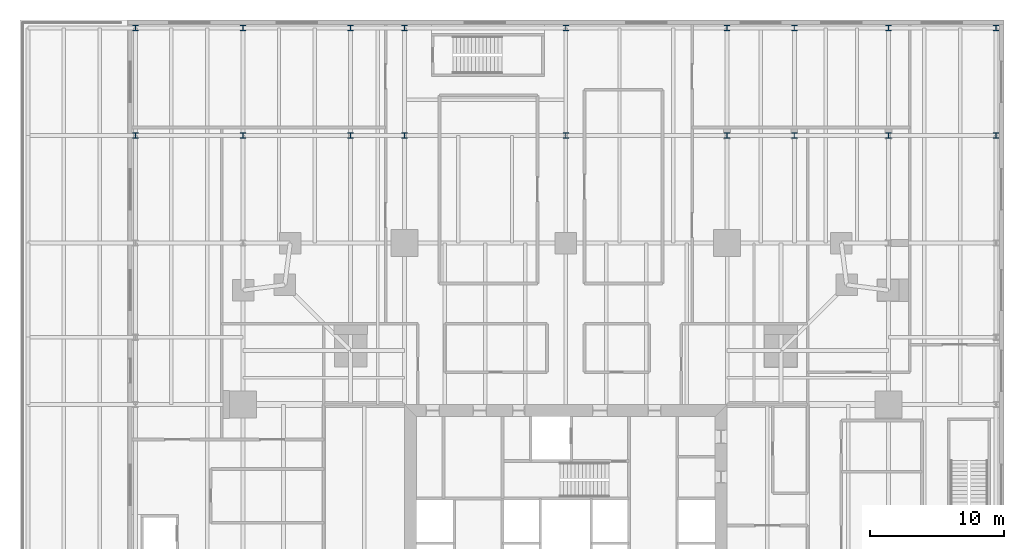
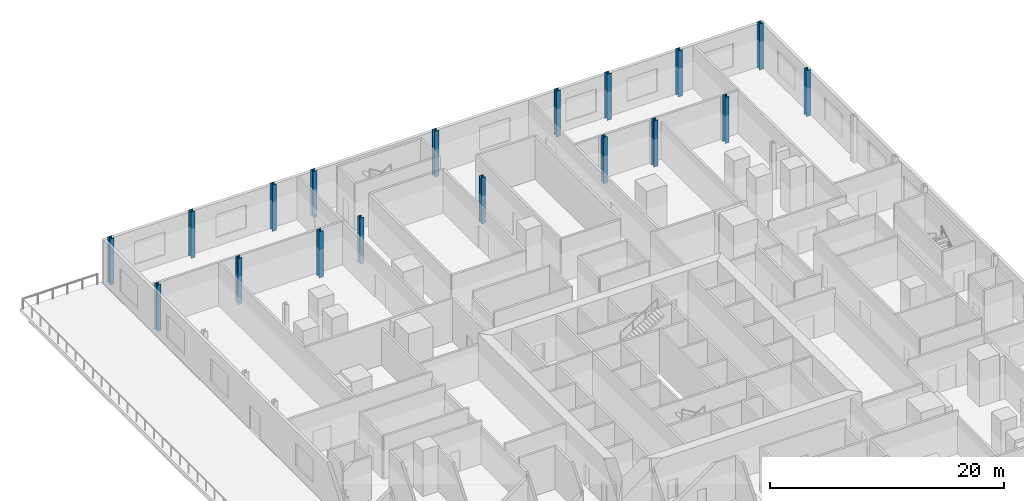
# One storey, part 3 of 17: 18 columns.
"""IFC4 building model written with IfcOpenShell, lengths in metres."""

import ifcopenshell
import ifcopenshell.guid

model = None  # the IFC model being written
_history = None  # IfcOwnerHistory: only IFC2X3 demands one
_inside = {}  # id of a spatial element -> (the spatial element, [elements in it])
_under = {}  # id of a project, library or spatial element -> (it, [spatial elements below it])
_declared = {}  # id of a project -> (the project, [libraries it declares])
_typed = {}  # id of a type object -> (the type object, [elements of that type])
_made_of = {}  # id of a material, layer set ... -> (it, [elements and type objects made of it])


def new_model(schema):
    """Start an empty IFC model of exactly this schema.

    Asked for "IFC4X3", IfcOpenShell would pick the latest addendum, in which some entities
    have other attributes; the version numbers below select the first issue.
    IFC2X3 requires an IfcOwnerHistory on every rooted entity: one is made here for all.
    """
    global model, _history
    if schema == "IFC4X3":
        model = ifcopenshell.file(schema_version=(4, 3, 0, 0))
    else:
        model = ifcopenshell.file(schema=schema)
    _inside.clear()
    _under.clear()
    _declared.clear()
    _typed.clear()
    _made_of.clear()
    _history = None
    if model.schema == "IFC2X3":
        org = make("IfcOrganization", Name="unknown")
        user = make(
            "IfcPersonAndOrganization",
            ThePerson=make("IfcPerson", FamilyName="unknown"),
            TheOrganization=org,
        )
        app = make(
            "IfcApplication",
            ApplicationDeveloper=org,
            Version="unknown",
            ApplicationFullName="unknown",
            ApplicationIdentifier="unknown",
        )
        _history = make(
            "IfcOwnerHistory",
            OwningUser=user,
            OwningApplication=app,
            ChangeAction="ADDED",
            CreationDate=0,
        )
    return model


def make(cls, **values):
    """One entity of the class cls with the attributes given. An attribute that is None is left unset."""
    return model.create_entity(
        cls, **{name: value for name, value in values.items() if value is not None}
    )


def rooted(cls, **values):
    """An entity with a GlobalId (a new one), such as an element, a storey or a relation."""
    return make(cls, GlobalId=ifcopenshell.guid.new(), OwnerHistory=_history, **values)


def si_unit(unit_type, name, prefix=None):
    """IfcSIUnit, for example si_unit("LENGTHUNIT", "METRE", prefix="MILLI")."""
    return make("IfcSIUnit", UnitType=unit_type, Prefix=prefix, Name=name)


def assignment(units):
    """IfcUnitAssignment: the units of a project."""
    return None if units is None else make("IfcUnitAssignment", Units=units)


def point(xyz):
    """IfcCartesianPoint."""
    return None if xyz is None else make("IfcCartesianPoint", Coordinates=xyz)


def direction(xyz):
    """IfcDirection."""
    return None if xyz is None else make("IfcDirection", DirectionRatios=xyz)


def frame(location, z_axis=None, x_axis=None):
    """IfcAxis2Placement3D, a coordinate frame: its origin and axes. An axis left out is left unset."""
    return make(
        "IfcAxis2Placement3D",
        Location=point(location),
        Axis=direction(z_axis),
        RefDirection=direction(x_axis),
    )


def frame_2d(location, x_axis=None):
    """IfcAxis2Placement2D, a coordinate frame in the plane: its origin and x axis."""
    return make(
        "IfcAxis2Placement2D", Location=point(location), RefDirection=direction(x_axis)
    )


def origin():
    """The frame at (0, 0, 0) with its axes left unset."""
    return frame((0.0, 0.0, 0.0))


def origin_2d():
    """The frame at (0, 0) in the plane with its x axis left unset."""
    return frame_2d((0.0, 0.0))


def place(relative_to, where):
    """IfcLocalPlacement: puts the frame where relative to a parent placement (None: the world)."""
    return make(
        "IfcLocalPlacement", PlacementRelTo=relative_to, RelativePlacement=where
    )


def context(
    kind, dimensions, precision=None, world=None, true_north=None, identifier=None
):
    """IfcGeometricRepresentationContext, for example the 3D "Model" context."""
    return make(
        "IfcGeometricRepresentationContext",
        ContextIdentifier=identifier,
        ContextType=kind,
        CoordinateSpaceDimension=dimensions,
        Precision=precision,
        WorldCoordinateSystem=world,
        TrueNorth=true_north,
    )


def subcontext(parent, identifier, kind, view, scale=None):
    """IfcGeometricRepresentationSubContext, for example "Body" below "Model"."""
    return make(
        "IfcGeometricRepresentationSubContext",
        ContextIdentifier=identifier,
        ContextType=kind,
        ParentContext=parent,
        TargetScale=scale,
        TargetView=view,
    )


def project(units=None, contexts=None):
    """IfcProject with its units and contexts."""
    return rooted(
        "IfcProject",
        Name="project",
        RepresentationContexts=contexts,
        UnitsInContext=assignment(units),
    )


def spatial(cls, under=None, at=None, **own):
    """A site, building, storey or space (cls), placed at a placement, below another one or the project."""
    s = rooted(cls, ObjectPlacement=at, **own)
    if under is not None:
        _under.setdefault(under.id(), (under, []))[1].append(s)
    return s


def profile(cls, at=None, kind="AREA", **sizes):
    """A parametric profile (cls). Its sizes go by their IFC names, for example OverallWidth=200.0."""
    return make(cls, ProfileType=kind, Position=at, **sizes)


def i_section(**sizes):
    """IfcIShapeProfileDef."""
    return profile("IfcIShapeProfileDef", **sizes)


def extrude(swept, where, along, depth):
    """IfcExtrudedAreaSolid: the profile swept, set in the frame where, extruded along a direction by depth."""
    return make(
        "IfcExtrudedAreaSolid",
        SweptArea=swept,
        Position=where,
        ExtrudedDirection=direction(along),
        Depth=depth,
    )


def shape(context_of_items, identifier, shape_type, items):
    """IfcShapeRepresentation: the items that make up one representation, for example the "Body"."""
    return make(
        "IfcShapeRepresentation",
        ContextOfItems=context_of_items,
        RepresentationIdentifier=identifier,
        RepresentationType=shape_type,
        Items=items,
    )


def material(Name=None, Category=None):
    """IfcMaterial."""
    return make("IfcMaterial", Name=Name, Category=Category)


def material_profile(
    of_material, cross_section, Name=None, Category=None, Priority=None
):
    """IfcMaterialProfile: a cross section and its material."""
    return make(
        "IfcMaterialProfile",
        Name=Name,
        Material=of_material,
        Profile=cross_section,
        Priority=Priority,
        Category=Category,
    )


def profile_set(profiles, Name=None, composite=None):
    """IfcMaterialProfileSet."""
    return make(
        "IfcMaterialProfileSet",
        Name=Name,
        MaterialProfiles=profiles,
        CompositeProfile=composite,
    )


def made_of(thing, what):
    """Note that an element or type object is made of a material, layer set ...; save() writes the relation."""
    if what is not None:
        _made_of.setdefault(what.id(), (what, []))[1].append(thing)
    return thing


def type_object(cls, material=None, **own):
    """A type object (cls), such as IfcWallType, which elements share."""
    return made_of(rooted(cls, **own), material)


def element(
    cls,
    number,
    at=None,
    inside=None,
    cuts=None,
    type_object=None,
    material=None,
    context=None,
    identifier="Body",
    shape_type=None,
    held_by="IfcProductDefinitionShape",
    body=None,
    shapes=None,
    **own,
):
    """One element of the class cls, such as IfcWall. Its Tag is "e" and its number.

    at: its placement. inside: the storey or other place that contains it. cuts: it is an
    opening in that element (IfcRelVoidsElement). A single representation is given by context,
    identifier, shape_type and body (its items); several are given by shapes. held_by: the class
    of the entity that holds the representations. save() writes the other relations.
    """
    e = rooted(cls, Tag="e%d" % number, ObjectPlacement=at, **own)
    if body is not None:
        shapes = [shape(context, identifier, shape_type, body)]
    if shapes is not None:
        e.Representation = make(held_by, Representations=shapes)
    if inside is not None:
        _inside.setdefault(inside.id(), (inside, []))[1].append(e)
    if cuts is not None:
        rooted(
            "IfcRelVoidsElement", RelatingBuildingElement=cuts, RelatedOpeningElement=e
        )
    if type_object is not None:
        _typed.setdefault(type_object.id(), (type_object, []))[1].append(e)
    return made_of(e, material)


def aggregate(whole, parts):
    """IfcRelAggregates: a whole, such as a stair, and the parts it consists of."""
    return rooted("IfcRelAggregates", RelatingObject=whole, RelatedObjects=parts)


def save(model, path):
    """Write the relations noted so far, then the file.

    IfcRelAggregates (storeys below a building ...), IfcRelContainedInSpatialStructure (elements
    in a storey), IfcRelDefinesByType, IfcRelAssociatesMaterial and IfcRelDeclares: one each for
    every whole, place, type object, material and project.
    """
    for whole, parts in _under.values():
        aggregate(whole, parts)
    for where, things in _inside.values():
        rooted(
            "IfcRelContainedInSpatialStructure",
            RelatedElements=things,
            RelatingStructure=where,
        )
    for kind, things in _typed.values():
        rooted("IfcRelDefinesByType", RelatedObjects=things, RelatingType=kind)
    for what, things in _made_of.values():
        rooted("IfcRelAssociatesMaterial", RelatedObjects=things, RelatingMaterial=what)
    for by, libraries in _declared.values():
        rooted("IfcRelDeclares", RelatingContext=by, RelatedDefinitions=libraries)
    model.write(path)


model = new_model("IFC4")

# Units and contexts
model_context = context("Model", 3, precision=1e-05, world=origin(), true_north=direction((0.0, 1.0)))
body_context = subcontext(model_context, "Body", "Model", "MODEL_VIEW")
ifc_project = project(units=[si_unit("LENGTHUNIT", "METRE"), si_unit("AREAUNIT", "SQUARE_METRE"), si_unit("VOLUMEUNIT", "CUBIC_METRE"), si_unit("PLANEANGLEUNIT", "RADIAN"), si_unit("MASSUNIT", "GRAM", prefix="KILO")], contexts=[model_context])

# Site, building, storey
site_placement = place(None, origin())
site = spatial("IfcSite", under=ifc_project, at=site_placement, CompositionType="ELEMENT")
building_placement = place(site_placement, origin())
building = spatial("IfcBuilding", under=site, at=building_placement, Name="Fenwick Lantern Interchange", CompositionType="ELEMENT")
storey_placement = place(building_placement, frame((0.0, 0.0, 21.39990234375)))
storey = spatial("IfcBuildingStorey", under=building, at=storey_placement, Name="L04", CompositionType="ELEMENT", Elevation=21.39990234375)

# Columns
ifc_material = material(Name="Steel ASTM A992 Grade 50", Category="steel")
ifc_material_profile = material_profile(ifc_material, i_section(OverallWidth=0.406494140625, OverallDepth=0.41650390625, WebThickness=0.030029296875, FlangeThickness=0.048095703125, at=origin_2d()), Name="W14X257")
ifc_profile_set = profile_set([ifc_material_profile], Name="Steel ASTM A992 Grade 50")
column_type = type_object("IfcColumnType", Name="PODIUM COLUMN W14X257", PredefinedType="COLUMN", material=ifc_profile_set)
for number, where, z_axis, x_axis, name in (
    (1, (-7.0, 57.0, 0.0), (0.0, 0.0, 1.0), (1.0, 0.0, 0.0), "L04/PK2"),
    (2, (-7.0, 65.0, 0.0), (0.0, 0.0, 1.0), (1.0, 0.0, 0.0), "L04/PL2"),
    (3, (1.0, 57.0, 0.0), (0.0, 0.0, 1.0), (1.0, 0.0, 0.0), "L04/PK3"),
    (4, (1.0, 65.0, 0.0), (0.0, 0.0, 1.0), (1.0, 0.0, 0.0), "L04/PL3"),
    (5, (9.0, 57.0, 0.0), (0.0, 0.0, 1.0), (1.0, 0.0, 0.0), "L04/PK4"),
    (6, (9.0, 65.0, 0.0), (0.0, 0.0, 1.0), (1.0, 0.0, 0.0), "L04/PL4"),
    (7, (13.0, 57.0, 0.0), (0.0, 0.0, 1.0), (1.0, 0.0, 0.0), "L04/PK5"),
    (8, (13.0, 65.0, 0.0), (0.0, 0.0, 1.0), (1.0, 0.0, 0.0), "L04/PL5"),
    (9, (25.0, 57.0, 0.0), (0.0, 0.0, 1.0), (1.0, 0.0, 0.0), "L04/PK6"),
    (10, (25.0, 65.0, 0.0), (0.0, 0.0, 1.0), (1.0, 0.0, 0.0), "L04/PL6"),
    (11, (37.0, 57.0, 0.0), (0.0, 0.0, 1.0), (1.0, 0.0, 0.0), "L04/PK7"),
    (12, (37.0, 65.0, 0.0), (0.0, 0.0, 1.0), (1.0, 0.0, 0.0), "L04/PL7"),
    (13, (42.0, 57.0, 0.0), (0.0, 0.0, 1.0), (1.0, 0.0, 0.0), "L04/PK8"),
    (14, (42.0, 65.0, 0.0), (0.0, 0.0, 1.0), (1.0, 0.0, 0.0), "L04/PL8"),
    (15, (49.0, 57.0, 0.0), (0.0, 0.0, 1.0), (1.0, 0.0, 0.0), "L04/PK9"),
    (16, (49.0, 65.0, 0.0), (0.0, 0.0, 1.0), (1.0, 0.0, 0.0), "L04/PL9"),
    (17, (57.0, 57.0, 0.0), (0.0, 0.0, 1.0), (1.0, 0.0, 0.0), "L04/PK10"),
    (18, (57.0, 65.0, 0.0), (0.0, 0.0, 1.0), (1.0, 0.0, 0.0), "L04/PL10"),
):
    element("IfcColumn", number, at=place(storey_placement, frame(where, z_axis=z_axis, x_axis=x_axis)), inside=storey, type_object=column_type, Name=name, PredefinedType="COLUMN", context=body_context, shape_type="SweptSolid", body=[
        extrude(i_section(OverallWidth=0.406494140625, OverallDepth=0.41650390625, WebThickness=0.030029296875, FlangeThickness=0.048095703125, at=origin_2d()), origin(), (0.0, 0.0, 1.0), 4.800048828125),
    ])

save(model, "model.ifc")
